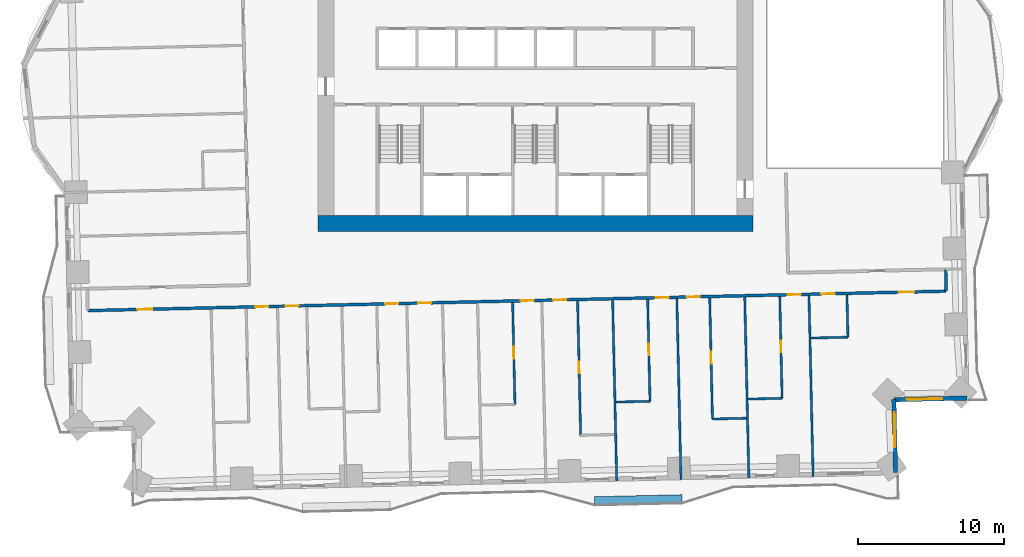
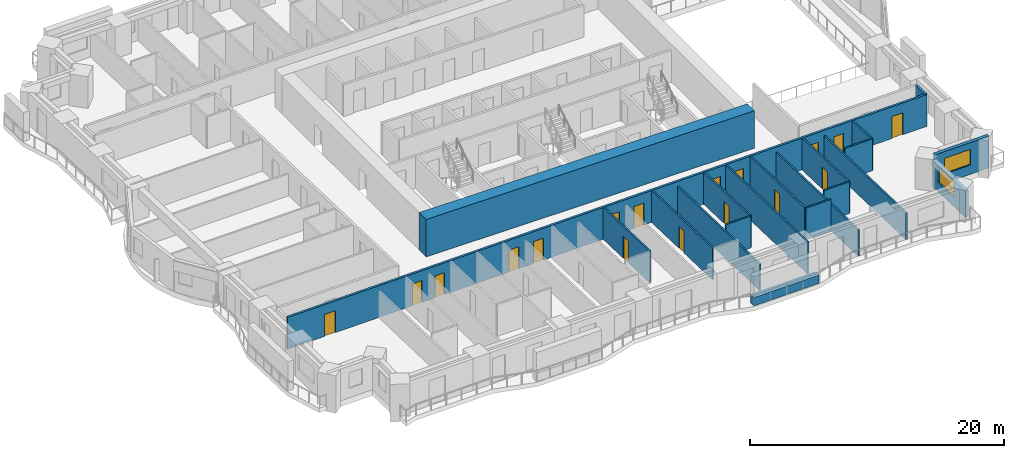
# One storey, part 7 of 16: 20 walls, 17 doors, 2 windows, 19 openings.
"""IFC4 building model written with IfcOpenShell, lengths in metres."""

from ifc_helpers import new_model, si_unit, direction, frame, frame_2d, origin, place, context, subcontext, project, spatial, rectangle, extrude, material, layer, layer_set, type_object, element, fill, save


model = new_model("IFC4")

# Units and contexts
model_context = context("Model", 3, precision=1e-05, world=origin(), true_north=direction((0.0, 1.0)))
body_context = subcontext(model_context, "Body", "Model", "MODEL_VIEW")
ifc_project = project(units=[si_unit("LENGTHUNIT", "METRE"), si_unit("AREAUNIT", "SQUARE_METRE"), si_unit("VOLUMEUNIT", "CUBIC_METRE"), si_unit("PLANEANGLEUNIT", "RADIAN"), si_unit("MASSUNIT", "GRAM", prefix="KILO")], contexts=[model_context])

# Site, building, storey
site_placement = place(None, origin())
site = spatial("IfcSite", under=ifc_project, at=site_placement, CompositionType="ELEMENT")
building_placement = place(site_placement, origin())
building = spatial("IfcBuilding", under=site, at=building_placement, Name="Mangrove Gate Tower", CompositionType="ELEMENT")
storey_placement = place(building_placement, frame((0.0, 0.0, 37.699951171875)))
storey = spatial("IfcBuildingStorey", under=building, at=storey_placement, Name="L08", CompositionType="ELEMENT", Elevation=37.699951171875)

# Wall
ifc_material_1 = material(Name="Concrete C70/85", Category="concrete")
ifc_layer_1 = layer(ifc_material_1, 1.10009765625)
ifc_layer_set_1 = layer_set([ifc_layer_1], Name="Core wall 1100 C70/85")
wall_type_1 = type_object("IfcWallType", Name="Core wall 1100 C70/85", PredefinedType="SHEAR", material=ifc_layer_set_1)
wall_1_placement = place(storey_placement, frame((-14.89990234375, -11.35009765625, 0.0), z_axis=(0.0, 0.0, 1.0), x_axis=(1.0, 0.0, 0.0)))
element("IfcWall", 1, at=wall_1_placement, inside=storey, type_object=wall_type_1, Name="WALL-L08-CORE-1", PredefinedType="SHEAR", context=body_context, shape_type="SweptSolid", body=[
    extrude(rectangle(XDim=29.7998046875, YDim=1.10009765625, at=frame_2d((14.89990234375, 0.0))), origin(), (0.0, 0.0, 1.0), 3.60009765625),
])

# Wall, openings, doors
ifc_material_2 = material(Name="Gypsum board on steel stud, EI 60", Category="steel")
ifc_layer_2 = layer(ifc_material_2, 0.199951171875)
ifc_layer_set_2 = layer_set([ifc_layer_2], Name="Corridor wall EI 60")
wall_type_2 = type_object("IfcWallType", Name="Corridor wall EI 60", PredefinedType="PARTITIONING", material=ifc_layer_set_2)
wall_2_placement = place(storey_placement, frame((-30.652099609375, -17.31298828125, 0.0), z_axis=(0.0, 0.0, 1.0), x_axis=(0.999742623764, 0.02268669719, 0.0)))
wall_2 = element("IfcWall", 2, at=wall_2_placement, inside=storey, type_object=wall_type_2, Name="WALL-L08-031", PredefinedType="PARTITIONING", context=body_context, shape_type="SweptSolid", body=[
    extrude(rectangle(XDim=58.80029296875, YDim=0.199951171875, at=frame_2d((29.400146484375, 0.0))), origin(), (0.0, 0.0, 1.0), 3.050048828125),
])
opening_1_placement = place(wall_2_placement, frame((3.406005859375, 0.0, 0.0)))
opening_1 = element("IfcOpeningElement", 3, at=opening_1_placement, cuts=wall_2, Name="Opening AD", PredefinedType="OPENING", context=body_context, shape_type="SweptSolid", body=[
    extrude(rectangle(XDim=1.0, YDim=2.10009765625, at=frame_2d((0.5, 1.050048828125))), frame((0.0, 0.10986328125, 0.0), z_axis=(0.0, -1.0, 0.0), x_axis=(1.0, 0.0, 0.0)), (0.0, 0.0, 1.0), 0.219970703125),
])
opening_2_placement = place(wall_2_placement, frame((11.47509765625, 0.0, 0.0)))
opening_2 = element("IfcOpeningElement", 4, at=opening_2_placement, cuts=wall_2, Name="Opening BD", PredefinedType="OPENING", context=body_context, shape_type="SweptSolid", body=[
    extrude(rectangle(XDim=0.89990234375, YDim=2.10009765625, at=frame_2d((0.449951171875, 1.050048828125))), frame((0.0, 0.10986328125, 0.0), z_axis=(0.0, -1.0, 0.0), x_axis=(1.0, 0.0, 0.0)), (0.0, 0.0, 1.0), 0.219970703125),
])
opening_3_placement = place(wall_2_placement, frame((13.550048828125, 0.0, 0.0)))
opening_3 = element("IfcOpeningElement", 5, at=opening_3_placement, cuts=wall_2, Name="Opening BD", PredefinedType="OPENING", context=body_context, shape_type="SweptSolid", body=[
    extrude(rectangle(XDim=0.89990234375, YDim=2.10009765625, at=frame_2d((0.449951171875, 1.050048828125))), frame((0.0, 0.10986328125, 0.0), z_axis=(0.0, -1.0, 0.0), x_axis=(1.0, 0.0, 0.0)), (0.0, 0.0, 1.0), 0.219970703125),
])
opening_4_placement = place(wall_2_placement, frame((20.375, 0.0, 0.0)))
opening_4 = element("IfcOpeningElement", 6, at=opening_4_placement, cuts=wall_2, Name="Opening BD", PredefinedType="OPENING", context=body_context, shape_type="SweptSolid", body=[
    extrude(rectangle(XDim=0.89990234375, YDim=2.10009765625, at=frame_2d((0.449951171875, 1.050048828125))), frame((0.0, 0.10986328125, 0.0), z_axis=(0.0, -1.0, 0.0), x_axis=(1.0, 0.0, 0.0)), (0.0, 0.0, 1.0), 0.219970703125),
])
opening_5_placement = place(wall_2_placement, frame((22.625, 0.0, 0.0)))
opening_5 = element("IfcOpeningElement", 7, at=opening_5_placement, cuts=wall_2, Name="Opening BD", PredefinedType="OPENING", context=body_context, shape_type="SweptSolid", body=[
    extrude(rectangle(XDim=0.89990234375, YDim=2.10009765625, at=frame_2d((0.449951171875, 1.050048828125))), frame((0.0, 0.10986328125, 0.0), z_axis=(0.0, -1.0, 0.0), x_axis=(1.0, 0.0, 0.0)), (0.0, 0.0, 1.0), 0.219970703125),
])
opening_6_placement = place(wall_2_placement, frame((29.64990234375, 0.0, 0.0)))
opening_6 = element("IfcOpeningElement", 8, at=opening_6_placement, cuts=wall_2, Name="Opening BD", PredefinedType="OPENING", context=body_context, shape_type="SweptSolid", body=[
    extrude(rectangle(XDim=0.89990234375, YDim=2.10009765625, at=frame_2d((0.449951171875, 1.050048828125))), frame((0.0, 0.10986328125, 0.0), z_axis=(0.0, -1.0, 0.0), x_axis=(1.0, 0.0, 0.0)), (0.0, 0.0, 1.0), 0.219970703125),
])
opening_7_placement = place(wall_2_placement, frame((31.875, 0.0, 0.0)))
opening_7 = element("IfcOpeningElement", 9, at=opening_7_placement, cuts=wall_2, Name="Opening BD", PredefinedType="OPENING", context=body_context, shape_type="SweptSolid", body=[
    extrude(rectangle(XDim=0.89990234375, YDim=2.10009765625, at=frame_2d((0.449951171875, 1.050048828125))), frame((0.0, 0.10986328125, 0.0), z_axis=(0.0, -1.0, 0.0), x_axis=(1.0, 0.0, 0.0)), (0.0, 0.0, 1.0), 0.219970703125),
])
opening_8_placement = place(wall_2_placement, frame((38.89990234375, 0.0, 0.0)))
opening_8 = element("IfcOpeningElement", 10, at=opening_8_placement, cuts=wall_2, Name="Opening BD", PredefinedType="OPENING", context=body_context, shape_type="SweptSolid", body=[
    extrude(rectangle(XDim=0.89990234375, YDim=2.10009765625, at=frame_2d((0.449951171875, 1.050048828125))), frame((0.0, 0.10986328125, 0.0), z_axis=(0.0, -1.0, 0.0), x_axis=(1.0, 0.0, 0.0)), (0.0, 0.0, 1.0), 0.219970703125),
])
opening_9_placement = place(wall_2_placement, frame((41.02490234375, 0.0, 0.0)))
opening_9 = element("IfcOpeningElement", 11, at=opening_9_placement, cuts=wall_2, Name="Opening BD", PredefinedType="OPENING", context=body_context, shape_type="SweptSolid", body=[
    extrude(rectangle(XDim=0.89990234375, YDim=2.10009765625, at=frame_2d((0.449951171875, 1.050048828125))), frame((0.0, 0.10986328125, 0.0), z_axis=(0.0, -1.0, 0.0), x_axis=(1.0, 0.0, 0.0)), (0.0, 0.0, 1.0), 0.219970703125),
])
opening_10_placement = place(wall_2_placement, frame((47.949951171875, 0.0, 0.0)))
opening_10 = element("IfcOpeningElement", 12, at=opening_10_placement, cuts=wall_2, Name="Opening BD", PredefinedType="OPENING", context=body_context, shape_type="SweptSolid", body=[
    extrude(rectangle(XDim=0.89990234375, YDim=2.10009765625, at=frame_2d((0.449951171875, 1.050048828125))), frame((0.0, 0.10986328125, 0.0), z_axis=(0.0, -1.0, 0.0), x_axis=(1.0, 0.0, 0.0)), (0.0, 0.0, 1.0), 0.219970703125),
])
opening_11_placement = place(wall_2_placement, frame((55.60009765625, 0.0, 0.0)))
opening_11 = element("IfcOpeningElement", 13, at=opening_11_placement, cuts=wall_2, Name="Opening AD", PredefinedType="OPENING", context=body_context, shape_type="SweptSolid", body=[
    extrude(rectangle(XDim=1.0, YDim=2.10009765625, at=frame_2d((0.5, 1.050048828125))), frame((0.0, 0.10986328125, 0.0), z_axis=(0.0, -1.0, 0.0), x_axis=(1.0, 0.0, 0.0)), (0.0, 0.0, 1.0), 0.219970703125),
])
opening_12_placement = place(wall_2_placement, frame((50.25, 0.0, 0.0)))
opening_12 = element("IfcOpeningElement", 14, at=opening_12_placement, cuts=wall_2, Name="Opening SD", PredefinedType="OPENING", context=body_context, shape_type="SweptSolid", body=[
    extrude(rectangle(XDim=0.89990234375, YDim=2.10009765625, at=frame_2d((0.449951171875, 1.050048828125))), frame((0.0, 0.10986328125, 0.0), z_axis=(0.0, -1.0, 0.0), x_axis=(1.0, 0.0, 0.0)), (0.0, 0.0, 1.0), 0.219970703125),
])
ifc_material_3 = material(Name="Timber door leaf", Category="wood")
door_type_1 = type_object("IfcDoorType", Name="Amenity door 1000", OperationType="SINGLE_SWING_LEFT", PredefinedType="DOOR", material=ifc_material_3)
door_1_placement = place(opening_1_placement, origin())
door_1 = element("IfcDoor", 15, at=door_1_placement, inside=storey, type_object=door_type_1, Name="DOOR-L08-KIT-c1a", OperationType="SINGLE_SWING_LEFT", OverallHeight=2.10009765625, OverallWidth=1.0, PredefinedType="DOOR", context=body_context, shape_type="SweptSolid", body=[
    extrude(rectangle(XDim=1.0, YDim=2.10009765625, at=frame_2d((0.5, 1.050048828125))), frame((0.0, 0.02490234375, 0.0), z_axis=(0.0, -1.0, 0.0), x_axis=(1.0, 0.0, 0.0)), (0.0, 0.0, 1.0), 0.050048828125),
])
fill(opening_1, door_1)
door_2_placement = place(opening_11_placement, origin())
door_2 = element("IfcDoor", 16, at=door_2_placement, inside=storey, type_object=door_type_1, Name="DOOR-L08-GAM-c3a", OperationType="SINGLE_SWING_RIGHT", OverallHeight=2.10009765625, OverallWidth=1.0, PredefinedType="DOOR", context=body_context, shape_type="SweptSolid", body=[
    extrude(rectangle(XDim=1.0, YDim=2.10009765625, at=frame_2d((0.5, 1.050048828125))), frame((0.0, 0.02490234375, 0.0), z_axis=(0.0, -1.0, 0.0), x_axis=(1.0, 0.0, 0.0)), (0.0, 0.0, 1.0), 0.050048828125),
])
fill(opening_11, door_2)
ifc_material_4 = material(Name="Timber door leaf", Category="wood")
door_type_2 = type_object("IfcDoorType", Name="Bedroom door 900", OperationType="SINGLE_SWING_LEFT", PredefinedType="DOOR", material=ifc_material_4)
door_3_placement = place(opening_2_placement, origin())
door_3 = element("IfcDoor", 17, at=door_3_placement, inside=storey, type_object=door_type_2, Name="DOOR-L08-BED-c101", OperationType="SINGLE_SWING_LEFT", OverallHeight=2.10009765625, OverallWidth=0.89990234375, PredefinedType="DOOR", context=body_context, shape_type="SweptSolid", body=[
    extrude(rectangle(XDim=0.89990234375, YDim=2.10009765625, at=frame_2d((0.449951171875, 1.050048828125))), frame((0.0, 0.02490234375, 0.0), z_axis=(0.0, -1.0, 0.0), x_axis=(1.0, 0.0, 0.0)), (0.0, 0.0, 1.0), 0.050048828125),
])
fill(opening_2, door_3)
door_4_placement = place(opening_3_placement, origin())
door_4 = element("IfcDoor", 18, at=door_4_placement, inside=storey, type_object=door_type_2, Name="DOOR-L08-BED-c102", OperationType="SINGLE_SWING_RIGHT", OverallHeight=2.10009765625, OverallWidth=0.89990234375, PredefinedType="DOOR", context=body_context, shape_type="SweptSolid", body=[
    extrude(rectangle(XDim=0.89990234375, YDim=2.10009765625, at=frame_2d((0.449951171875, 1.050048828125))), frame((0.0, 0.02490234375, 0.0), z_axis=(0.0, -1.0, 0.0), x_axis=(1.0, 0.0, 0.0)), (0.0, 0.0, 1.0), 0.050048828125),
])
fill(opening_3, door_4)
door_5_placement = place(opening_4_placement, origin())
door_5 = element("IfcDoor", 19, at=door_5_placement, inside=storey, type_object=door_type_2, Name="DOOR-L08-BED-c103", OperationType="SINGLE_SWING_LEFT", OverallHeight=2.10009765625, OverallWidth=0.89990234375, PredefinedType="DOOR", context=body_context, shape_type="SweptSolid", body=[
    extrude(rectangle(XDim=0.89990234375, YDim=2.10009765625, at=frame_2d((0.449951171875, 1.050048828125))), frame((0.0, 0.02490234375, 0.0), z_axis=(0.0, -1.0, 0.0), x_axis=(1.0, 0.0, 0.0)), (0.0, 0.0, 1.0), 0.050048828125),
])
fill(opening_4, door_5)
door_6_placement = place(opening_5_placement, origin())
door_6 = element("IfcDoor", 20, at=door_6_placement, inside=storey, type_object=door_type_2, Name="DOOR-L08-BED-c104", OperationType="SINGLE_SWING_RIGHT", OverallHeight=2.10009765625, OverallWidth=0.89990234375, PredefinedType="DOOR", context=body_context, shape_type="SweptSolid", body=[
    extrude(rectangle(XDim=0.89990234375, YDim=2.10009765625, at=frame_2d((0.449951171875, 1.050048828125))), frame((0.0, 0.02490234375, 0.0), z_axis=(0.0, -1.0, 0.0), x_axis=(1.0, 0.0, 0.0)), (0.0, 0.0, 1.0), 0.050048828125),
])
fill(opening_5, door_6)
door_7_placement = place(opening_6_placement, origin())
door_7 = element("IfcDoor", 21, at=door_7_placement, inside=storey, type_object=door_type_2, Name="DOOR-L08-BED-c205", OperationType="SINGLE_SWING_LEFT", OverallHeight=2.10009765625, OverallWidth=0.89990234375, PredefinedType="DOOR", context=body_context, shape_type="SweptSolid", body=[
    extrude(rectangle(XDim=0.89990234375, YDim=2.10009765625, at=frame_2d((0.449951171875, 1.050048828125))), frame((0.0, 0.02490234375, 0.0), z_axis=(0.0, -1.0, 0.0), x_axis=(1.0, 0.0, 0.0)), (0.0, 0.0, 1.0), 0.050048828125),
])
fill(opening_6, door_7)
door_8_placement = place(opening_7_placement, origin())
door_8 = element("IfcDoor", 22, at=door_8_placement, inside=storey, type_object=door_type_2, Name="DOOR-L08-BED-c206", OperationType="SINGLE_SWING_RIGHT", OverallHeight=2.10009765625, OverallWidth=0.89990234375, PredefinedType="DOOR", context=body_context, shape_type="SweptSolid", body=[
    extrude(rectangle(XDim=0.89990234375, YDim=2.10009765625, at=frame_2d((0.449951171875, 1.050048828125))), frame((0.0, 0.02490234375, 0.0), z_axis=(0.0, -1.0, 0.0), x_axis=(1.0, 0.0, 0.0)), (0.0, 0.0, 1.0), 0.050048828125),
])
fill(opening_7, door_8)
door_9_placement = place(opening_8_placement, origin())
door_9 = element("IfcDoor", 23, at=door_9_placement, inside=storey, type_object=door_type_2, Name="DOOR-L08-BED-c207", OperationType="SINGLE_SWING_LEFT", OverallHeight=2.10009765625, OverallWidth=0.89990234375, PredefinedType="DOOR", context=body_context, shape_type="SweptSolid", body=[
    extrude(rectangle(XDim=0.89990234375, YDim=2.10009765625, at=frame_2d((0.449951171875, 1.050048828125))), frame((0.0, 0.02490234375, 0.0), z_axis=(0.0, -1.0, 0.0), x_axis=(1.0, 0.0, 0.0)), (0.0, 0.0, 1.0), 0.050048828125),
])
fill(opening_8, door_9)
door_10_placement = place(opening_9_placement, origin())
door_10 = element("IfcDoor", 24, at=door_10_placement, inside=storey, type_object=door_type_2, Name="DOOR-L08-BED-c208", OperationType="SINGLE_SWING_RIGHT", OverallHeight=2.10009765625, OverallWidth=0.89990234375, PredefinedType="DOOR", context=body_context, shape_type="SweptSolid", body=[
    extrude(rectangle(XDim=0.89990234375, YDim=2.10009765625, at=frame_2d((0.449951171875, 1.050048828125))), frame((0.0, 0.02490234375, 0.0), z_axis=(0.0, -1.0, 0.0), x_axis=(1.0, 0.0, 0.0)), (0.0, 0.0, 1.0), 0.050048828125),
])
fill(opening_9, door_10)
door_11_placement = place(opening_10_placement, origin())
door_11 = element("IfcDoor", 25, at=door_11_placement, inside=storey, type_object=door_type_2, Name="DOOR-L08-BED-c309", OperationType="SINGLE_SWING_LEFT", OverallHeight=2.10009765625, OverallWidth=0.89990234375, PredefinedType="DOOR", context=body_context, shape_type="SweptSolid", body=[
    extrude(rectangle(XDim=0.89990234375, YDim=2.10009765625, at=frame_2d((0.449951171875, 1.050048828125))), frame((0.0, 0.02490234375, 0.0), z_axis=(0.0, -1.0, 0.0), x_axis=(1.0, 0.0, 0.0)), (0.0, 0.0, 1.0), 0.050048828125),
])
fill(opening_10, door_11)
ifc_material_5 = material(Name="Timber door leaf", Category="wood")
door_type_3 = type_object("IfcDoorType", Name="Service room door 900", OperationType="SINGLE_SWING_LEFT", PredefinedType="DOOR", material=ifc_material_5)
door_12_placement = place(opening_12_placement, origin())
door_12 = element("IfcDoor", 26, at=door_12_placement, inside=storey, type_object=door_type_3, Name="DOOR-L08-AWC-c3a", OperationType="SINGLE_SWING_LEFT", OverallHeight=2.10009765625, OverallWidth=0.89990234375, PredefinedType="DOOR", context=body_context, shape_type="SweptSolid", body=[
    extrude(rectangle(XDim=0.89990234375, YDim=2.10009765625, at=frame_2d((0.449951171875, 1.050048828125))), frame((0.0, 0.02490234375, 0.0), z_axis=(0.0, -1.0, 0.0), x_axis=(1.0, 0.0, 0.0)), (0.0, 0.0, 1.0), 0.050048828125),
])
fill(opening_12, door_12)

# Wall
wall_3_placement = place(storey_placement, frame((28.133056640625, -15.97900390625, 0.0), z_axis=(0.0, 0.0, 1.0), x_axis=(-0.022632637625, 0.99974384905, 0.0)))
element("IfcWall", 27, at=wall_3_placement, inside=storey, type_object=wall_type_2, Name="WALL-L08-033", PredefinedType="PARTITIONING", context=body_context, shape_type="SweptSolid", body=[
    extrude(rectangle(XDim=1.49951171875, YDim=0.199951171875, at=frame_2d((0.749755859375, 0.0))), origin(), (0.0, 0.0, 1.0), 3.050048828125),
])

# Wall, opening, window
ifc_material_6 = material(Name="Limestone", Category="masonry")
ifc_layer_3 = layer(ifc_material_6, 0.0400390625, Name="Limestone cladding")
ifc_material_7 = material(Name="Ventilated air gap")
ifc_layer_4 = layer(ifc_material_7, 0.0400390625, Name="Ventilated cavity")
ifc_material_8 = material(Name="Mineral wool insulation")
ifc_layer_5 = layer(ifc_material_8, 0.06005859375, Name="Insulation")
ifc_material_9 = material(Name="Breather membrane")
ifc_layer_6 = layer(ifc_material_9, 0.001953125, Name="Breather membrane")
ifc_material_10 = material(Name="Concrete C20/25 blockwork", Category="masonry")
ifc_layer_7 = layer(ifc_material_10, 0.14990234375, Name="Blockwork backing wall")
ifc_material_11 = material(Name="Gypsum plaster")
ifc_layer_8 = layer(ifc_material_11, 0.008056640625, Name="Internal plaster")
ifc_layer_set_3 = layer_set([ifc_layer_3, ifc_layer_4, ifc_layer_5, ifc_layer_6, ifc_layer_7, ifc_layer_8], Name="External wall 300 limestone cladding")
wall_type_3 = type_object("IfcWallType", Name="External wall 300 limestone cladding", PredefinedType="SOLIDWALL", material=ifc_layer_set_3)
wall_4_placement = place(storey_placement, frame((24.6640625, -28.410888671875, 0.0), z_axis=(0.0, 0.0, 1.0), x_axis=(-0.022802372469, 0.999739992103, 0.0)))
wall_4 = element("IfcWall", 28, at=wall_4_placement, inside=storey, type_object=wall_type_3, Name="WALL-L08-E14", PredefinedType="SOLIDWALL", context=body_context, shape_type="SweptSolid", body=[
    extrude(rectangle(XDim=5.0, YDim=0.300048828125, at=frame_2d((2.5, 0.0))), origin(), (0.0, 0.0, 1.0), 2.550048828125),
])
opening_13_placement = place(wall_4_placement, frame((1.735107421875, 0.0, 0.89990234375)))
opening_13 = element("IfcOpeningElement", 29, at=opening_13_placement, cuts=wall_4, Name="Opening W2", PredefinedType="OPENING", context=body_context, shape_type="SweptSolid", body=[
    extrude(rectangle(XDim=2.39990234375, YDim=1.5, at=frame_2d((1.199951171875, 0.75))), frame((0.0, 0.159912109375, 0.0), z_axis=(0.0, -1.0, 0.0), x_axis=(1.0, 0.0, 0.0)), (0.0, 0.0, 1.0), 0.320068359375),
])
ifc_material_12 = material(Name="Aluminium frame with double-glazed low-e glass", Category="aluminium")
window_type = type_object("IfcWindowType", Name="Corner room window 2400x1500", PartitioningType="DOUBLE_PANEL_VERTICAL", PredefinedType="WINDOW", material=ifc_material_12)
window_1_placement = place(opening_13_placement, origin())
window_1 = element("IfcWindow", 30, at=window_1_placement, inside=storey, type_object=window_type, Name="WIN-L08-E14-1", OverallHeight=1.5, OverallWidth=2.39990234375, PartitioningType="DOUBLE_PANEL_VERTICAL", PredefinedType="WINDOW", context=body_context, shape_type="SweptSolid", body=[
    extrude(rectangle(XDim=2.39990234375, YDim=1.5, at=frame_2d((1.199951171875, 0.75))), frame((0.0, 0.030029296875, 0.0), z_axis=(0.0, -1.0, 0.0), x_axis=(1.0, 0.0, 0.0)), (0.0, 0.0, 1.0), 0.06005859375),
])
fill(opening_13, window_1)

wall_5_placement = place(storey_placement, frame((24.550048828125, -23.412109375, 0.0), z_axis=(0.0, 0.0, 1.0), x_axis=(0.999744450377, 0.022606059803, 0.0)))
wall_5 = element("IfcWall", 31, at=wall_5_placement, inside=storey, type_object=wall_type_3, Name="WALL-L08-S15", PredefinedType="SOLIDWALL", context=body_context, shape_type="SweptSolid", body=[
    extrude(rectangle(XDim=5.000244140625, YDim=0.300048828125, at=frame_2d((2.5, 0.0))), origin(), (0.0, 0.0, 1.0), 3.050048828125),
])
opening_14_placement = place(wall_5_placement, frame((0.89697265625, 0.0, 0.89990234375)))
opening_14 = element("IfcOpeningElement", 32, at=opening_14_placement, cuts=wall_5, Name="Opening W2", PredefinedType="OPENING", context=body_context, shape_type="SweptSolid", body=[
    extrude(rectangle(XDim=2.39990234375, YDim=1.5, at=frame_2d((1.199951171875, 0.75))), frame((0.0, 0.159912109375, 0.0), z_axis=(0.0, -1.0, 0.0), x_axis=(1.0, 0.0, 0.0)), (0.0, 0.0, 1.0), 0.320068359375),
])
window_2_placement = place(opening_14_placement, origin())
window_2 = element("IfcWindow", 33, at=window_2_placement, inside=storey, type_object=window_type, Name="WIN-L08-S15-1", OverallHeight=1.5, OverallWidth=2.39990234375, PartitioningType="DOUBLE_PANEL_VERTICAL", PredefinedType="WINDOW", context=body_context, shape_type="SweptSolid", body=[
    extrude(rectangle(XDim=2.39990234375, YDim=1.5, at=frame_2d((1.199951171875, 0.75))), frame((0.0, 0.030029296875, 0.0), z_axis=(0.0, -1.0, 0.0), x_axis=(1.0, 0.0, 0.0)), (0.0, 0.0, 1.0), 0.06005859375),
])
fill(opening_14, window_2)

# Walls
ifc_material_13 = material(Name="Gypsum board on steel stud, EI 60", Category="steel")
ifc_layer_9 = layer(ifc_material_13, 0.14990234375)
ifc_layer_set_4 = layer_set([ifc_layer_9], Name="Party wall 150 EI 60")
wall_type_4 = type_object("IfcWallType", Name="Party wall 150 EI 60", PredefinedType="PARTITIONING", material=ifc_layer_set_4)
wall_6_placement = place(storey_placement, frame((5.572021484375, -28.993896484375, 0.0), z_axis=(0.0, 0.0, 1.0), x_axis=(-0.022663260168, 0.999743155335, 0.0)))
element("IfcWall", 34, at=wall_6_placement, inside=storey, type_object=wall_type_4, Name="WALL-L08-007", PredefinedType="PARTITIONING", context=body_context, shape_type="SweptSolid", body=[
    extrude(rectangle(XDim=12.399169921875, YDim=0.14990234375, at=frame_2d((6.19970703125, 0.0))), origin(), (0.0, 0.0, 1.0), 2.550048828125),
])
wall_7_placement = place(storey_placement, frame((9.970947265625, -28.89404296875, 0.0), z_axis=(0.0, 0.0, 1.0), x_axis=(-0.022663260168, 0.999743155335, 0.0)))
element("IfcWall", 35, at=wall_7_placement, inside=storey, type_object=wall_type_4, Name="WALL-L08-008", PredefinedType="PARTITIONING", context=body_context, shape_type="SweptSolid", body=[
    extrude(rectangle(XDim=12.399169921875, YDim=0.14990234375, at=frame_2d((6.19970703125, 0.0))), origin(), (0.0, 0.0, 1.0), 3.050048828125),
])
for number, where, z_axis, x_axis, name in (
    (36, (14.6201171875, -28.7890625, 0.0), (0.0, 0.0, 1.0), (-0.022661475803, 0.999743195783, 0.0), "WALL-L08-009"),
    (37, (19.01904296875, -28.68896484375, 0.0), (0.0, 0.0, 1.0), (-0.022740189192, 0.999741408463, 0.0), "WALL-L08-010"),
):
    element("IfcWall", number, at=place(storey_placement, frame(where, z_axis=z_axis, x_axis=x_axis)), inside=storey, type_object=wall_type_4, Name=name, PredefinedType="PARTITIONING", context=body_context, shape_type="SweptSolid", body=[
        extrude(rectangle(XDim=12.400146484375, YDim=0.14990234375, at=frame_2d((6.2001953125, 0.0))), origin(), (0.0, 0.0, 1.0), 2.550048828125),
    ])

# Wall, opening, door
wall_8_placement = place(storey_placement, frame((3.10009765625, -25.85009765625, 0.0), z_axis=(0.0, 0.0, 1.0), x_axis=(-0.022608685365, 0.999744391005, 0.0)))
wall_8 = element("IfcWall", 38, at=wall_8_placement, inside=storey, type_object=wall_type_4, Name="WALL-L08-014", PredefinedType="PARTITIONING", context=body_context, shape_type="SweptSolid", body=[
    extrude(rectangle(XDim=9.200439453125, YDim=0.14990234375, at=frame_2d((4.60009765625, 0.0))), origin(), (0.0, 0.0, 1.0), 3.050048828125),
])
opening_15_placement = place(wall_8_placement, frame((4.25, 0.0, 0.0)))
opening_15 = element("IfcOpeningElement", 39, at=opening_15_placement, cuts=wall_8, Name="Opening ED", PredefinedType="OPENING", context=body_context, shape_type="SweptSolid", body=[
    extrude(rectangle(XDim=0.800048828125, YDim=2.10009765625, at=frame_2d((0.39990234375, 1.050048828125))), frame((0.0, 0.0849609375, 0.0), z_axis=(0.0, -1.0, 0.0), x_axis=(1.0, 0.0, 0.0)), (0.0, 0.0, 1.0), 0.169921875),
])
ifc_material_14 = material(Name="Timber door leaf", Category="wood")
door_type_4 = type_object("IfcDoorType", Name="En-suite door 800", OperationType="SINGLE_SWING_LEFT", PredefinedType="DOOR", material=ifc_material_14)
door_13_placement = place(opening_15_placement, origin())
door_13 = element("IfcDoor", 40, at=door_13_placement, inside=storey, type_object=door_type_4, Name="DOOR-L08-ENS-c206", OperationType="SINGLE_SWING_RIGHT", OverallHeight=2.10009765625, OverallWidth=0.800048828125, PredefinedType="DOOR", context=body_context, shape_type="SweptSolid", body=[
    extrude(rectangle(XDim=0.800048828125, YDim=2.10009765625, at=frame_2d((0.39990234375, 1.050048828125))), frame((0.0, 0.02490234375, 0.0), z_axis=(0.0, -1.0, 0.0), x_axis=(1.0, 0.0, 0.0)), (0.0, 0.0, 1.0), 0.050048828125),
])
fill(opening_15, door_13)

# Wall
wall_9_placement = place(storey_placement, frame((12.126953125, -24.735107421875, 0.0), z_axis=(0.0, 0.0, 1.0), x_axis=(0.999738082346, 0.022885950011, 0.0)))
element("IfcWall", 41, at=wall_9_placement, inside=storey, type_object=wall_type_4, Name="WALL-L08-015", PredefinedType="PARTITIONING", context=body_context, shape_type="SweptSolid", body=[
    extrude(rectangle(XDim=2.325439453125, YDim=0.14990234375, at=frame_2d((1.16259765625, 0.0))), origin(), (0.0, 0.0, 1.0), 3.050048828125),
])

# Wall, opening, door
wall_10_placement = place(storey_placement, frame((12.126953125, -24.735107421875, 0.0), z_axis=(0.0, 0.0, 1.0), x_axis=(-0.022675916361, 0.99974286835, 0.0)))
wall_10 = element("IfcWall", 42, at=wall_10_placement, inside=storey, type_object=wall_type_4, Name="WALL-L08-016", PredefinedType="PARTITIONING", context=body_context, shape_type="SweptSolid", body=[
    extrude(rectangle(XDim=8.290283203125, YDim=0.14990234375, at=frame_2d((4.14501953125, 0.0))), origin(), (0.0, 0.0, 1.0), 3.050048828125),
])
opening_16_placement = place(wall_10_placement, frame((3.794921875, 0.0, 0.0)))
opening_16 = element("IfcOpeningElement", 43, at=opening_16_placement, cuts=wall_10, Name="Opening ED", PredefinedType="OPENING", context=body_context, shape_type="SweptSolid", body=[
    extrude(rectangle(XDim=0.800048828125, YDim=2.10009765625, at=frame_2d((0.39990234375, 1.050048828125))), frame((0.0, 0.0849609375, 0.0), z_axis=(0.0, -1.0, 0.0), x_axis=(1.0, 0.0, 0.0)), (0.0, 0.0, 1.0), 0.169921875),
])
door_14_placement = place(opening_16_placement, origin())
door_14 = element("IfcDoor", 44, at=door_14_placement, inside=storey, type_object=door_type_4, Name="DOOR-L08-ENS-c208", OperationType="SINGLE_SWING_RIGHT", OverallHeight=2.10009765625, OverallWidth=0.800048828125, PredefinedType="DOOR", context=body_context, shape_type="SweptSolid", body=[
    extrude(rectangle(XDim=0.800048828125, YDim=2.10009765625, at=frame_2d((0.39990234375, 1.050048828125))), frame((0.0, 0.02490234375, 0.0), z_axis=(0.0, -1.0, 0.0), x_axis=(1.0, 0.0, 0.0)), (0.0, 0.0, 1.0), 0.050048828125),
])
fill(opening_16, door_14)

wall_11_placement = place(storey_placement, frame((-1.39892578125, -23.73095703125, 0.0), z_axis=(0.0, 0.0, 1.0), x_axis=(-0.022630826984, 0.999743890039, 0.0)))
wall_11 = element("IfcWall", 45, at=wall_11_placement, inside=storey, type_object=wall_type_4, Name="WALL-L08-024", PredefinedType="PARTITIONING", context=body_context, shape_type="SweptSolid", body=[
    extrude(rectangle(XDim=6.979736328125, YDim=0.14990234375, at=frame_2d((3.48974609375, 0.0))), origin(), (0.0, 0.0, 1.0), 3.050048828125),
])
opening_17_placement = place(wall_11_placement, frame((3.139892578125, 0.0, 0.0)))
opening_17 = element("IfcOpeningElement", 46, at=opening_17_placement, cuts=wall_11, Name="Opening ED", PredefinedType="OPENING", context=body_context, shape_type="SweptSolid", body=[
    extrude(rectangle(XDim=0.800048828125, YDim=2.10009765625, at=frame_2d((0.39990234375, 1.050048828125))), frame((0.0, 0.0849609375, 0.0), z_axis=(0.0, -1.0, 0.0), x_axis=(1.0, 0.0, 0.0)), (0.0, 0.0, 1.0), 0.169921875),
])
door_15_placement = place(opening_17_placement, origin())
door_15 = element("IfcDoor", 47, at=door_15_placement, inside=storey, type_object=door_type_4, Name="DOOR-L08-ENS-c205", OperationType="SINGLE_SWING_LEFT", OverallHeight=2.10009765625, OverallWidth=0.800048828125, PredefinedType="DOOR", context=body_context, shape_type="SweptSolid", body=[
    extrude(rectangle(XDim=0.800048828125, YDim=2.10009765625, at=frame_2d((0.39990234375, 1.050048828125))), frame((0.0, 0.02490234375, 0.0), z_axis=(0.0, -1.0, 0.0), x_axis=(1.0, 0.0, 0.0)), (0.0, 0.0, 1.0), 0.050048828125),
])
fill(opening_17, door_15)

# Wall
wall_12_placement = place(storey_placement, frame((5.52392578125, -23.573974609375, 0.0), z_axis=(0.0, 0.0, 1.0), x_axis=(0.99974053329, 0.022778632478, 0.0)))
element("IfcWall", 48, at=wall_12_placement, inside=storey, type_object=wall_type_4, Name="WALL-L08-025", PredefinedType="PARTITIONING", context=body_context, shape_type="SweptSolid", body=[
    extrude(rectangle(XDim=2.32568359375, YDim=0.14990234375, at=frame_2d((1.162841796875, 0.0))), origin(), (0.0, 0.0, 1.0), 3.050048828125),
])

# Wall, opening, door
wall_13_placement = place(storey_placement, frame((7.84912109375, -23.52099609375, 0.0), z_axis=(0.0, 0.0, 1.0), x_axis=(-0.022805626844, 0.999739917871, 0.0)))
wall_13 = element("IfcWall", 49, at=wall_13_placement, inside=storey, type_object=wall_type_4, Name="WALL-L08-026", PredefinedType="PARTITIONING", context=body_context, shape_type="SweptSolid", body=[
    extrude(rectangle(XDim=6.979736328125, YDim=0.14990234375, at=frame_2d((3.48974609375, 0.0))), origin(), (0.0, 0.0, 1.0), 3.050048828125),
])
opening_18_placement = place(wall_13_placement, frame((3.139892578125, 0.0, 0.0)))
opening_18 = element("IfcOpeningElement", 50, at=opening_18_placement, cuts=wall_13, Name="Opening ED", PredefinedType="OPENING", context=body_context, shape_type="SweptSolid", body=[
    extrude(rectangle(XDim=0.800048828125, YDim=2.10009765625, at=frame_2d((0.39990234375, 1.050048828125))), frame((0.0, 0.0849609375, 0.0), z_axis=(0.0, -1.0, 0.0), x_axis=(1.0, 0.0, 0.0)), (0.0, 0.0, 1.0), 0.169921875),
])
door_16_placement = place(opening_18_placement, origin())
door_16 = element("IfcDoor", 51, at=door_16_placement, inside=storey, type_object=door_type_4, Name="DOOR-L08-ENS-c207", OperationType="SINGLE_SWING_LEFT", OverallHeight=2.10009765625, OverallWidth=0.800048828125, PredefinedType="DOOR", context=body_context, shape_type="SweptSolid", body=[
    extrude(rectangle(XDim=0.800048828125, YDim=2.10009765625, at=frame_2d((0.39990234375, 1.050048828125))), frame((0.0, 0.02490234375, 0.0), z_axis=(0.0, -1.0, 0.0), x_axis=(1.0, 0.0, 0.0)), (0.0, 0.0, 1.0), 0.050048828125),
])
fill(opening_18, door_16)

# Wall
wall_14_placement = place(storey_placement, frame((14.572021484375, -23.368896484375, 0.0), z_axis=(0.0, 0.0, 1.0), x_axis=(0.999740260747, 0.02279059109, 0.0)))
element("IfcWall", 52, at=wall_14_placement, inside=storey, type_object=wall_type_4, Name="WALL-L08-027", PredefinedType="PARTITIONING", context=body_context, shape_type="SweptSolid", body=[
    extrude(rectangle(XDim=2.324462890625, YDim=0.14990234375, at=frame_2d((1.162109375, 0.0))), origin(), (0.0, 0.0, 1.0), 3.050048828125),
])

# Wall, opening, door
wall_15_placement = place(storey_placement, frame((16.89599609375, -23.31591796875, 0.0), z_axis=(0.0, 0.0, 1.0), x_axis=(-0.022630826984, 0.999743890039, 0.0)))
wall_15 = element("IfcWall", 53, at=wall_15_placement, inside=storey, type_object=wall_type_4, Name="WALL-L08-028", PredefinedType="PARTITIONING", context=body_context, shape_type="SweptSolid", body=[
    extrude(rectangle(XDim=6.979736328125, YDim=0.14990234375, at=frame_2d((3.48974609375, 0.0))), origin(), (0.0, 0.0, 1.0), 3.050048828125),
])
opening_19_placement = place(wall_15_placement, frame((3.139892578125, 0.0, 0.0)))
opening_19 = element("IfcOpeningElement", 54, at=opening_19_placement, cuts=wall_15, Name="Opening ED", PredefinedType="OPENING", context=body_context, shape_type="SweptSolid", body=[
    extrude(rectangle(XDim=0.800048828125, YDim=2.10009765625, at=frame_2d((0.39990234375, 1.050048828125))), frame((0.0, 0.0849609375, 0.0), z_axis=(0.0, -1.0, 0.0), x_axis=(1.0, 0.0, 0.0)), (0.0, 0.0, 1.0), 0.169921875),
])
door_17_placement = place(opening_19_placement, origin())
door_17 = element("IfcDoor", 55, at=door_17_placement, inside=storey, type_object=door_type_4, Name="DOOR-L08-ENS-c309", OperationType="SINGLE_SWING_LEFT", OverallHeight=2.10009765625, OverallWidth=0.800048828125, PredefinedType="DOOR", context=body_context, shape_type="SweptSolid", body=[
    extrude(rectangle(XDim=0.800048828125, YDim=2.10009765625, at=frame_2d((0.39990234375, 1.050048828125))), frame((0.0, 0.02490234375, 0.0), z_axis=(0.0, -1.0, 0.0), x_axis=(1.0, 0.0, 0.0)), (0.0, 0.0, 1.0), 0.050048828125),
])
fill(opening_19, door_17)

# Walls
wall_16_placement = place(storey_placement, frame((18.8779296875, -19.18994140625, 0.0), z_axis=(0.0, 0.0, 1.0), x_axis=(0.999746356616, 0.022521599255, 0.0)))
element("IfcWall", 56, at=wall_16_placement, inside=storey, type_object=wall_type_4, Name="WALL-L08-029", PredefinedType="PARTITIONING", context=body_context, shape_type="SweptSolid", body=[
    extrude(rectangle(XDim=2.52587890625, YDim=0.14990234375, at=frame_2d((1.262939453125, 0.0))), origin(), (0.0, 0.0, 1.0), 3.050048828125),
])
wall_17_placement = place(storey_placement, frame((21.403076171875, -19.133056640625, 0.0), z_axis=(0.0, 0.0, 1.0), x_axis=(-0.022807433839, 0.999739876649, 0.0)))
element("IfcWall", 57, at=wall_17_placement, inside=storey, type_object=wall_type_4, Name="WALL-L08-030", PredefinedType="PARTITIONING", context=body_context, shape_type="SweptSolid", body=[
    extrude(rectangle(XDim=2.90087890625, YDim=0.14990234375, at=frame_2d((1.450439453125, 0.0))), origin(), (0.0, 0.0, 1.0), 3.050048828125),
])
ifc_material_15 = material(Name="Concrete C32/40", Category="concrete")
ifc_layer_10 = layer(ifc_material_15, 0.199951171875, Name="Planter trough wall")
ifc_material_16 = material(Name="Bituminous waterproofing membrane")
ifc_layer_11 = layer(ifc_material_16, 0.0048828125, Name="Waterproofing")
ifc_material_17 = material(Name="Drainage board and gravel")
ifc_layer_12 = layer(ifc_material_17, 0.044921875, Name="Drainage layer")
ifc_material_18 = material(Name="Planting soil")
ifc_layer_13 = layer(ifc_material_18, 0.300048828125, Name="Growing medium")
ifc_layer_set_5 = layer_set([ifc_layer_10, ifc_layer_11, ifc_layer_12, ifc_layer_13], Name="Planter wall 550 C32/40")
wall_type_5 = type_object("IfcWallType", Name="Planter wall 550 C32/40", PredefinedType="USERDEFINED", material=ifc_layer_set_5)
wall_18_placement = place(storey_placement, frame((4.052001953125, -30.3291015625, 0.0), z_axis=(0.0, 0.0, 1.0), x_axis=(0.999743094499, 0.022665943652, 0.0)))
element("IfcWall", 58, at=wall_18_placement, inside=storey, type_object=wall_type_5, Name="PLANTER L08 S1.1", ObjectType="PLANTER", PredefinedType="USERDEFINED", context=body_context, shape_type="SweptSolid", body=[
    extrude(rectangle(XDim=5.99951171875, YDim=0.550048828125, at=frame_2d((2.999755859375, 0.0))), origin(), (0.0, 0.0, 1.0), 0.800048828125),
])

save(model, "model.ifc")
